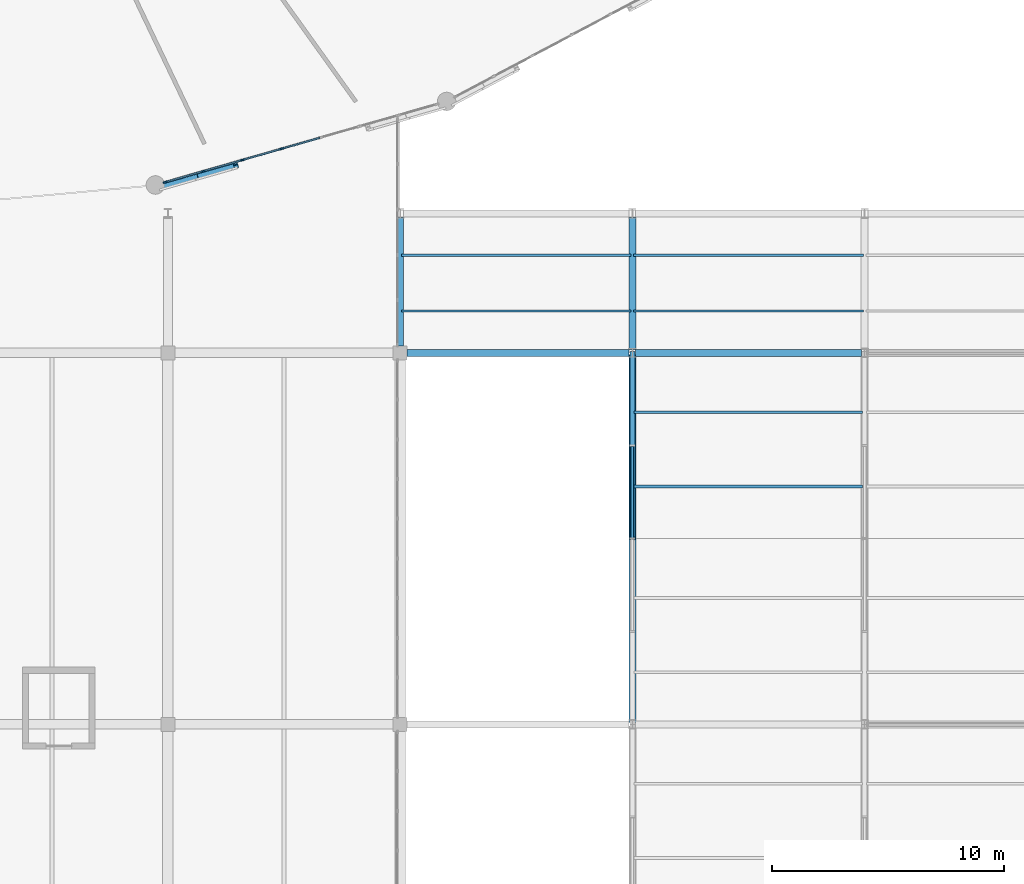
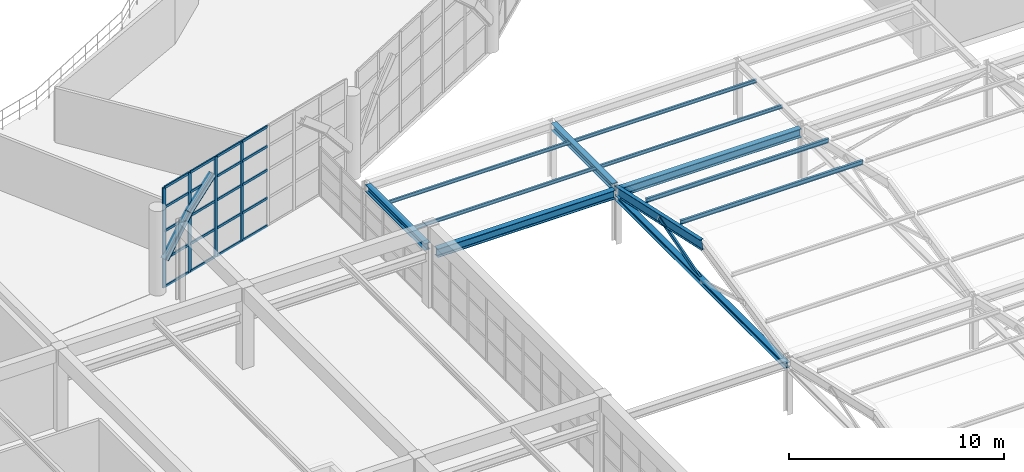
# One storey, part 29 of 109: 32 members, 7 beams, 1 element without a shape of its own.
"""IFC4 building model written with IfcOpenShell, lengths in metres."""

from ifc_helpers import new_model, si_unit, direction, frame, origin, origin_2d, place, context, subcontext, project, spatial, rectangle, hollow_rectangle, i_section, extrude, material, layer, layer_set, material_profile, profile_set, type_object, element, aggregate, save


model = new_model("IFC4")

# Units and contexts
model_context = context("Model", 3, precision=1e-05, world=origin(), true_north=direction((0.0, 1.0)))
body_context = subcontext(model_context, "Body", "Model", "MODEL_VIEW")
ifc_project = project(units=[si_unit("LENGTHUNIT", "METRE"), si_unit("AREAUNIT", "SQUARE_METRE"), si_unit("VOLUMEUNIT", "CUBIC_METRE"), si_unit("PLANEANGLEUNIT", "RADIAN"), si_unit("MASSUNIT", "GRAM", prefix="KILO")], contexts=[model_context])

# Site, building, storey
site_placement = place(None, origin())
site = spatial("IfcSite", under=ifc_project, at=site_placement, CompositionType="ELEMENT")
building_placement = place(site_placement, origin())
building = spatial("IfcBuilding", under=site, at=building_placement, Name="Kivolera Central Railway Station", CompositionType="ELEMENT")
storey_placement = place(building_placement, frame((0.0, 0.0, 9.60009765625)))
storey = spatial("IfcBuildingStorey", under=building, at=storey_placement, Name="L02", CompositionType="ELEMENT", Elevation=9.60009765625)

# Beams
ifc_material_1 = material(Name="Steel S355", Category="steel")
ifc_material_profile_1 = material_profile(ifc_material_1, i_section(OverallWidth=0.300048828125, OverallDepth=0.300048828125, WebThickness=0.010986328125, FlangeThickness=0.01904296875, FilletRadius=0.027099609375, at=origin_2d()), Name="HEB 300")
ifc_profile_set_1 = profile_set([ifc_material_profile_1], Name="Steel S355")
beam_type_1 = type_object("IfcBeamType", Name="BM-LANT-ARCH", PredefinedType="SPANDREL", material=ifc_profile_set_1)
beam_1_placement = place(storey_placement, frame((77.8330078125, 55.208984375, 1.699951171875), z_axis=(0.620093626419, 0.17819346611, 0.764022894363), x_axis=(-0.276187953411, 0.961103643938, 0.0)))
element("IfcBeam", 1, at=beam_1_placement, inside=storey, type_object=beam_type_1, Name="Oval Lantern Structural Arch Rib 20.1", PredefinedType="SPANDREL", context=body_context, shape_type="SweptSolid", body=[
    extrude(i_section(OverallWidth=0.300048828125, OverallDepth=0.300048828125, WebThickness=0.010986328125, FlangeThickness=0.01904296875, FilletRadius=0.027099609375, at=origin_2d()), origin(), (0.0, 0.0, 1.0), 2.48681640625),
])
beam_2_placement = place(storey_placement, frame((79.375, 55.652099609375, 3.599853515625), z_axis=(0.733210155687, 0.21011880649, 0.646724790585), x_axis=(-0.275484921, 0.961305392839, 0.0)))
element("IfcBeam", 2, at=beam_2_placement, inside=storey, type_object=beam_type_1, Name="Oval Lantern Structural Arch Rib 20.2", PredefinedType="SPANDREL", context=body_context, shape_type="SweptSolid", body=[
    extrude(i_section(OverallWidth=0.300048828125, OverallDepth=0.300048828125, WebThickness=0.010986328125, FlangeThickness=0.01904296875, FilletRadius=0.027099609375, at=origin_2d()), origin(), (0.0, 0.0, 1.0), 2.10302734375),
])
ifc_material_profile_2 = material_profile(ifc_material_1, i_section(OverallWidth=0.300048828125, OverallDepth=0.389892578125, WebThickness=0.010986328125, FlangeThickness=0.01904296875, FilletRadius=0.027099609375, at=origin_2d()), Name="HEA 400")
ifc_profile_set_2 = profile_set([ifc_material_profile_2], Name="Steel S355")
beam_type_2 = type_object("IfcBeamType", Name="BM-SHD-HEA400", PredefinedType="BEAM", material=ifc_profile_set_2)
beam_3_placement = place(storey_placement, frame((88.0, 48.294921875, 3.054931640625), z_axis=(0.0, 1.0, 0.0), x_axis=(-1.0, 0.0, 0.0)))
element("IfcBeam", 3, at=beam_3_placement, inside=storey, type_object=beam_type_2, Name="Train Shed Threshold Canopy Rafter DE-9", PredefinedType="BEAM", context=body_context, shape_type="SweptSolid", body=[
    extrude(i_section(OverallWidth=0.300048828125, OverallDepth=0.389892578125, WebThickness=0.010986328125, FlangeThickness=0.01904296875, FilletRadius=0.027099609375, at=origin_2d()), origin(), (0.0, 0.0, 1.0), 5.56298828125),
])
beam_4_placement = place(storey_placement, frame((98.0, 48.14208984375, 3.054931640625), z_axis=(0.0, 1.0, 0.0), x_axis=(-1.0, 0.0, 0.0)))
element("IfcBeam", 4, at=beam_4_placement, inside=storey, type_object=beam_type_2, Name="Train Shed Threshold Canopy Rafter DE-10", PredefinedType="BEAM", context=body_context, shape_type="SweptSolid", body=[
    extrude(i_section(OverallWidth=0.300048828125, OverallDepth=0.389892578125, WebThickness=0.010986328125, FlangeThickness=0.01904296875, FilletRadius=0.027099609375, at=origin_2d()), origin(), (0.0, 0.0, 1.0), 5.7158203125),
])
ifc_material_profile_3 = material_profile(ifc_material_1, i_section(OverallWidth=0.300048828125, OverallDepth=0.489990234375, WebThickness=0.011962890625, FlangeThickness=0.02294921875, FilletRadius=0.027099609375, at=origin_2d()), Name="HEA 500")
ifc_profile_set_3 = profile_set([ifc_material_profile_3], Name="Steel S355")
beam_type_3 = type_object("IfcBeamType", Name="BM-SHD-HEA500", PredefinedType="BEAM", material=ifc_profile_set_3)
beam_5_placement = place(storey_placement, frame((88.2919921875, 48.0, 2.81982421875), z_axis=(1.0, 0.0, 0.0), x_axis=(0.0, 1.0, 0.0)))
element("IfcBeam", 5, at=beam_5_placement, inside=storey, type_object=beam_type_3, Name="Train Shed Eave Girder D:9-10", PredefinedType="BEAM", context=body_context, shape_type="SweptSolid", body=[
    extrude(i_section(OverallWidth=0.300048828125, OverallDepth=0.489990234375, WebThickness=0.011962890625, FlangeThickness=0.02294921875, FilletRadius=0.027099609375, at=origin_2d()), origin(), (0.0, 0.0, 1.0), 9.571044921875),
])
beam_6_placement = place(storey_placement, frame((98.136962890625, 48.0, 2.81982421875), z_axis=(1.0, 0.0, 0.0), x_axis=(0.0, 1.0, 0.0)))
element("IfcBeam", 6, at=beam_6_placement, inside=storey, type_object=beam_type_3, Name="Train Shed Eave Girder D:10-11", PredefinedType="BEAM", context=body_context, shape_type="SweptSolid", body=[
    extrude(i_section(OverallWidth=0.300048828125, OverallDepth=0.489990234375, WebThickness=0.011962890625, FlangeThickness=0.02294921875, FilletRadius=0.027099609375, at=origin_2d()), origin(), (0.0, 0.0, 1.0), 9.72607421875),
])
ifc_material_profile_4 = material_profile(ifc_material_1, i_section(OverallWidth=0.209228515625, OverallDepth=0.533203125, WebThickness=0.010009765625, FlangeThickness=0.015625, FilletRadius=0.0126953125, at=origin_2d()), Name="UB 533x210x92")
ifc_profile_set_4 = profile_set([ifc_material_profile_4], Name="Steel S355")
beam_type_4 = type_object("IfcBeamType", Name="BM-SHD-UB533", PredefinedType="BEAM", material=ifc_profile_set_4)
beam_7_placement = place(storey_placement, frame((98.0, 40.0, 4.684814453125), z_axis=(0.0, 0.97664421653, -0.214862919829), x_axis=(-1.0, 0.0, 0.0)))
element("IfcBeam", 7, at=beam_7_placement, inside=storey, type_object=beam_type_4, Name="Train Shed Roof Truss Top Rafter CD-10N", PredefinedType="BEAM", context=body_context, shape_type="SweptSolid", body=[
    extrude(i_section(OverallWidth=0.209228515625, OverallDepth=0.533203125, WebThickness=0.010009765625, FlangeThickness=0.015625, FilletRadius=0.0126953125, at=origin_2d()), origin(), (0.0, 0.0, 1.0), 8.19140625),
])

# Curtain wall, members
ifc_material_2 = material(Name="Anodised aluminium", Category="aluminium")
ifc_layer = layer(ifc_material_2, 0.179931640625, Name="Anodised aluminium")
ifc_layer_set = layer_set([ifc_layer], Name="Anodised aluminium")
curtain_wall_type = type_object("IfcCurtainWallType", Name="CW-SYS-11", PredefinedType="NOTDEFINED", material=ifc_layer_set)
curtain_wall_placement = place(storey_placement, origin())
curtain_wall = element("IfcCurtainWall", 8, at=curtain_wall_placement, inside=storey, type_object=curtain_wall_type, Name="L02 Curtain Wall CW-L02-OVL-19", PredefinedType="NOTDEFINED")
ifc_material_profile_5 = material_profile(ifc_material_2, rectangle(XDim=0.070068359375, YDim=0.179931640625, at=origin_2d()), Name="ALU MULL 70x180")
ifc_profile_set_5 = profile_set([ifc_material_profile_5], Name="Anodised aluminium")
member_type_1 = type_object("IfcMemberType", Name="CWM-MUL-1", PredefinedType="MULLION", material=ifc_profile_set_5)
member_1_placement = place(storey_placement, frame((82.888671875, 56.783935546875, -0.005126953125), z_axis=(0.0, 0.0, 1.0), x_axis=(0.27569168989, -0.961246114232, 0.0)))
member_1 = element("IfcMember", 9, at=member_1_placement, type_object=member_type_1, Name="CW-11 mullion 5", PredefinedType="MULLION", context=body_context, shape_type="SweptSolid", body=[
    extrude(rectangle(XDim=0.070068359375, YDim=0.179931640625, at=origin_2d()), origin(), (0.0, 0.0, 1.0), 5.705078125),
])
member_2_placement = place(storey_placement, frame((81.20703125, 56.301513671875, -0.005126953125), z_axis=(0.0, 0.0, 1.0), x_axis=(0.27569168989, -0.961246114232, 0.0)))
member_2 = element("IfcMember", 10, at=member_2_placement, type_object=member_type_1, Name="CW-11 mullion 6", PredefinedType="MULLION", context=body_context, shape_type="SweptSolid", body=[
    extrude(rectangle(XDim=0.070068359375, YDim=0.179931640625, at=origin_2d()), origin(), (0.0, 0.0, 1.0), 5.705078125),
])
member_3_placement = place(storey_placement, frame((79.525634765625, 55.8193359375, -0.005126953125), z_axis=(0.0, 0.0, 1.0), x_axis=(0.27569168989, -0.961246114232, 0.0)))
member_3 = element("IfcMember", 11, at=member_3_placement, type_object=member_type_1, Name="CW-11 mullion 7", PredefinedType="MULLION", context=body_context, shape_type="SweptSolid", body=[
    extrude(rectangle(XDim=0.070068359375, YDim=0.179931640625, at=origin_2d()), origin(), (0.0, 0.0, 1.0), 5.705078125),
])
member_4_placement = place(storey_placement, frame((77.877685546875, 55.3466796875, -0.005126953125), z_axis=(0.0, 0.0, 1.0), x_axis=(0.27569168989, -0.961246114232, 0.0)))
member_4 = element("IfcMember", 12, at=member_4_placement, type_object=member_type_1, Name="CW-11 mullion 8", PredefinedType="MULLION", context=body_context, shape_type="SweptSolid", body=[
    extrude(rectangle(XDim=0.070068359375, YDim=0.179931640625, at=origin_2d()), origin(), (0.0, 0.0, 1.0), 5.705078125),
])
ifc_material_profile_6 = material_profile(ifc_material_2, rectangle(XDim=0.070068359375, YDim=0.139892578125, at=origin_2d()), Name="ALU TRAN 70x140")
ifc_profile_set_6 = profile_set([ifc_material_profile_6], Name="Anodised aluminium")
member_type_2 = type_object("IfcMemberType", Name="CWM-TRN-1", PredefinedType="USERDEFINED", material=ifc_profile_set_6)
member_5_placement = place(storey_placement, frame((84.53662109375, 57.256591796875, 0.034912109375), z_axis=(-0.961221645359, -0.275776990509, 0.0), x_axis=(0.275776990509, -0.961221645359, 0.0)))
member_5 = element("IfcMember", 13, at=member_5_placement, type_object=member_type_2, Name="CW-11 transom 4.1", ObjectType="TRANSOM", PredefinedType="USERDEFINED", context=body_context, shape_type="SweptSolid", body=[
    extrude(rectangle(XDim=0.070068359375, YDim=0.139892578125, at=origin_2d()), origin(), (0.0, 0.0, 1.0), 1.679443359375),
])
member_6_placement = place(storey_placement, frame((84.53662109375, 57.256591796875, 1.599853515625), z_axis=(-0.961221645359, -0.275776990509, 0.0), x_axis=(0.275776990509, -0.961221645359, 0.0)))
member_6 = element("IfcMember", 14, at=member_6_placement, type_object=member_type_2, Name="CW-11 transom 4.2", ObjectType="TRANSOM", PredefinedType="USERDEFINED", context=body_context, shape_type="SweptSolid", body=[
    extrude(rectangle(XDim=0.070068359375, YDim=0.139892578125, at=origin_2d()), origin(), (0.0, 0.0, 1.0), 1.679443359375),
])
member_7_placement = place(storey_placement, frame((84.53662109375, 57.256591796875, 3.199951171875), z_axis=(-0.961221645359, -0.275776990509, 0.0), x_axis=(0.275776990509, -0.961221645359, 0.0)))
member_7 = element("IfcMember", 15, at=member_7_placement, type_object=member_type_2, Name="CW-11 transom 4.3", ObjectType="TRANSOM", PredefinedType="USERDEFINED", context=body_context, shape_type="SweptSolid", body=[
    extrude(rectangle(XDim=0.070068359375, YDim=0.139892578125, at=origin_2d()), origin(), (0.0, 0.0, 1.0), 1.679443359375),
])
member_8_placement = place(storey_placement, frame((84.53662109375, 57.256591796875, 4.5498046875), z_axis=(-0.961221645359, -0.275776990509, 0.0), x_axis=(0.275776990509, -0.961221645359, 0.0)))
member_8 = element("IfcMember", 16, at=member_8_placement, type_object=member_type_2, Name="CW-11 transom 4.4", ObjectType="TRANSOM", PredefinedType="USERDEFINED", context=body_context, shape_type="SweptSolid", body=[
    extrude(rectangle(XDim=0.070068359375, YDim=0.139892578125, at=origin_2d()), origin(), (0.0, 0.0, 1.0), 1.679443359375),
])
member_9_placement = place(storey_placement, frame((84.53662109375, 57.256591796875, 5.664794921875), z_axis=(-0.961221645359, -0.275776990509, 0.0), x_axis=(0.275776990509, -0.961221645359, 0.0)))
member_9 = element("IfcMember", 17, at=member_9_placement, type_object=member_type_2, Name="CW-11 transom 4.5", ObjectType="TRANSOM", PredefinedType="USERDEFINED", context=body_context, shape_type="SweptSolid", body=[
    extrude(rectangle(XDim=0.070068359375, YDim=0.139892578125, at=origin_2d()), origin(), (0.0, 0.0, 1.0), 1.679443359375),
])
member_10_placement = place(storey_placement, frame((82.85498046875, 56.774169921875, 0.034912109375), z_axis=(-0.961260174018, -0.27564266333, 0.0), x_axis=(0.27564266333, -0.961260174018, 0.0)))
member_10 = element("IfcMember", 18, at=member_10_placement, type_object=member_type_2, Name="CW-11 transom 5.1", ObjectType="TRANSOM", PredefinedType="USERDEFINED", context=body_context, shape_type="SweptSolid", body=[
    extrude(rectangle(XDim=0.070068359375, YDim=0.139892578125, at=origin_2d()), origin(), (0.0, 0.0, 1.0), 1.67919921875),
])
member_11_placement = place(storey_placement, frame((82.85498046875, 56.774169921875, 1.599853515625), z_axis=(-0.961260174018, -0.27564266333, 0.0), x_axis=(0.27564266333, -0.961260174018, 0.0)))
member_11 = element("IfcMember", 19, at=member_11_placement, type_object=member_type_2, Name="CW-11 transom 5.2", ObjectType="TRANSOM", PredefinedType="USERDEFINED", context=body_context, shape_type="SweptSolid", body=[
    extrude(rectangle(XDim=0.070068359375, YDim=0.139892578125, at=origin_2d()), origin(), (0.0, 0.0, 1.0), 1.67919921875),
])
member_12_placement = place(storey_placement, frame((82.85498046875, 56.774169921875, 3.199951171875), z_axis=(-0.961260174018, -0.27564266333, 0.0), x_axis=(0.27564266333, -0.961260174018, 0.0)))
member_12 = element("IfcMember", 20, at=member_12_placement, type_object=member_type_2, Name="CW-11 transom 5.3", ObjectType="TRANSOM", PredefinedType="USERDEFINED", context=body_context, shape_type="SweptSolid", body=[
    extrude(rectangle(XDim=0.070068359375, YDim=0.139892578125, at=origin_2d()), origin(), (0.0, 0.0, 1.0), 1.67919921875),
])
member_13_placement = place(storey_placement, frame((82.85498046875, 56.774169921875, 4.5498046875), z_axis=(-0.961260174018, -0.27564266333, 0.0), x_axis=(0.27564266333, -0.961260174018, 0.0)))
member_13 = element("IfcMember", 21, at=member_13_placement, type_object=member_type_2, Name="CW-11 transom 5.4", ObjectType="TRANSOM", PredefinedType="USERDEFINED", context=body_context, shape_type="SweptSolid", body=[
    extrude(rectangle(XDim=0.070068359375, YDim=0.139892578125, at=origin_2d()), origin(), (0.0, 0.0, 1.0), 1.67919921875),
])
member_14_placement = place(storey_placement, frame((82.85498046875, 56.774169921875, 5.664794921875), z_axis=(-0.961260174018, -0.27564266333, 0.0), x_axis=(0.27564266333, -0.961260174018, 0.0)))
member_14 = element("IfcMember", 22, at=member_14_placement, type_object=member_type_2, Name="CW-11 transom 5.5", ObjectType="TRANSOM", PredefinedType="USERDEFINED", context=body_context, shape_type="SweptSolid", body=[
    extrude(rectangle(XDim=0.070068359375, YDim=0.139892578125, at=origin_2d()), origin(), (0.0, 0.0, 1.0), 1.67919921875),
])
member_15_placement = place(storey_placement, frame((81.173583984375, 56.2919921875, 0.034912109375), z_axis=(-0.961221645359, -0.275776990509, 0.0), x_axis=(0.275776990509, -0.961221645359, 0.0)))
member_15 = element("IfcMember", 23, at=member_15_placement, type_object=member_type_2, Name="CW-11 transom 6.1", ObjectType="TRANSOM", PredefinedType="USERDEFINED", context=body_context, shape_type="SweptSolid", body=[
    extrude(rectangle(XDim=0.070068359375, YDim=0.139892578125, at=origin_2d()), origin(), (0.0, 0.0, 1.0), 1.679443359375),
])
member_16_placement = place(storey_placement, frame((81.173583984375, 56.2919921875, 1.599853515625), z_axis=(-0.961221645359, -0.275776990509, 0.0), x_axis=(0.275776990509, -0.961221645359, 0.0)))
member_16 = element("IfcMember", 24, at=member_16_placement, type_object=member_type_2, Name="CW-11 transom 6.2", ObjectType="TRANSOM", PredefinedType="USERDEFINED", context=body_context, shape_type="SweptSolid", body=[
    extrude(rectangle(XDim=0.070068359375, YDim=0.139892578125, at=origin_2d()), origin(), (0.0, 0.0, 1.0), 1.679443359375),
])
member_17_placement = place(storey_placement, frame((81.173583984375, 56.2919921875, 3.199951171875), z_axis=(-0.961221645359, -0.275776990509, 0.0), x_axis=(0.275776990509, -0.961221645359, 0.0)))
member_17 = element("IfcMember", 25, at=member_17_placement, type_object=member_type_2, Name="CW-11 transom 6.3", ObjectType="TRANSOM", PredefinedType="USERDEFINED", context=body_context, shape_type="SweptSolid", body=[
    extrude(rectangle(XDim=0.070068359375, YDim=0.139892578125, at=origin_2d()), origin(), (0.0, 0.0, 1.0), 1.679443359375),
])
member_18_placement = place(storey_placement, frame((81.173583984375, 56.2919921875, 4.5498046875), z_axis=(-0.961221645359, -0.275776990509, 0.0), x_axis=(0.275776990509, -0.961221645359, 0.0)))
member_18 = element("IfcMember", 26, at=member_18_placement, type_object=member_type_2, Name="CW-11 transom 6.4", ObjectType="TRANSOM", PredefinedType="USERDEFINED", context=body_context, shape_type="SweptSolid", body=[
    extrude(rectangle(XDim=0.070068359375, YDim=0.139892578125, at=origin_2d()), origin(), (0.0, 0.0, 1.0), 1.679443359375),
])
member_19_placement = place(storey_placement, frame((81.173583984375, 56.2919921875, 5.664794921875), z_axis=(-0.961221645359, -0.275776990509, 0.0), x_axis=(0.275776990509, -0.961221645359, 0.0)))
member_19 = element("IfcMember", 27, at=member_19_placement, type_object=member_type_2, Name="CW-11 transom 6.5", ObjectType="TRANSOM", PredefinedType="USERDEFINED", context=body_context, shape_type="SweptSolid", body=[
    extrude(rectangle(XDim=0.070068359375, YDim=0.139892578125, at=origin_2d()), origin(), (0.0, 0.0, 1.0), 1.679443359375),
])
member_20_placement = place(storey_placement, frame((79.491943359375, 55.8095703125, 0.034912109375), z_axis=(-0.961237680042, -0.275721095434, 0.0), x_axis=(0.275721095434, -0.961237680042, 0.0)))
member_20 = element("IfcMember", 28, at=member_20_placement, type_object=member_type_2, Name="CW-11 transom 7.1", ObjectType="TRANSOM", PredefinedType="USERDEFINED", context=body_context, shape_type="SweptSolid", body=[
    extrude(rectangle(XDim=0.070068359375, YDim=0.139892578125, at=origin_2d()), origin(), (0.0, 0.0, 1.0), 1.644287109375),
])
member_21_placement = place(storey_placement, frame((79.491943359375, 55.8095703125, 1.599853515625), z_axis=(-0.961237680042, -0.275721095434, 0.0), x_axis=(0.275721095434, -0.961237680042, 0.0)))
member_21 = element("IfcMember", 29, at=member_21_placement, type_object=member_type_2, Name="CW-11 transom 7.2", ObjectType="TRANSOM", PredefinedType="USERDEFINED", context=body_context, shape_type="SweptSolid", body=[
    extrude(rectangle(XDim=0.070068359375, YDim=0.139892578125, at=origin_2d()), origin(), (0.0, 0.0, 1.0), 1.644287109375),
])
member_22_placement = place(storey_placement, frame((79.491943359375, 55.8095703125, 3.199951171875), z_axis=(-0.961237680042, -0.275721095434, 0.0), x_axis=(0.275721095434, -0.961237680042, 0.0)))
member_22 = element("IfcMember", 30, at=member_22_placement, type_object=member_type_2, Name="CW-11 transom 7.3", ObjectType="TRANSOM", PredefinedType="USERDEFINED", context=body_context, shape_type="SweptSolid", body=[
    extrude(rectangle(XDim=0.070068359375, YDim=0.139892578125, at=origin_2d()), origin(), (0.0, 0.0, 1.0), 1.644287109375),
])
member_23_placement = place(storey_placement, frame((79.491943359375, 55.8095703125, 4.5498046875), z_axis=(-0.961237680042, -0.275721095434, 0.0), x_axis=(0.275721095434, -0.961237680042, 0.0)))
member_23 = element("IfcMember", 31, at=member_23_placement, type_object=member_type_2, Name="CW-11 transom 7.4", ObjectType="TRANSOM", PredefinedType="USERDEFINED", context=body_context, shape_type="SweptSolid", body=[
    extrude(rectangle(XDim=0.070068359375, YDim=0.139892578125, at=origin_2d()), origin(), (0.0, 0.0, 1.0), 1.644287109375),
])
member_24_placement = place(storey_placement, frame((79.491943359375, 55.8095703125, 5.664794921875), z_axis=(-0.961237680042, -0.275721095434, 0.0), x_axis=(0.275721095434, -0.961237680042, 0.0)))
member_24 = element("IfcMember", 32, at=member_24_placement, type_object=member_type_2, Name="CW-11 transom 7.5", ObjectType="TRANSOM", PredefinedType="USERDEFINED", context=body_context, shape_type="SweptSolid", body=[
    extrude(rectangle(XDim=0.070068359375, YDim=0.139892578125, at=origin_2d()), origin(), (0.0, 0.0, 1.0), 1.644287109375),
])
aggregate(curtain_wall, [member_1, member_2, member_3, member_4, member_5, member_6, member_7, member_8, member_9, member_10, member_11, member_12, member_13, member_14, member_15, member_16, member_17, member_18, member_19, member_20, member_21, member_22, member_23, member_24])

# Members
ifc_material_profile_7 = material_profile(ifc_material_1, i_section(OverallWidth=0.300048828125, OverallDepth=0.300048828125, WebThickness=0.010986328125, FlangeThickness=0.01904296875, FilletRadius=0.027099609375, at=origin_2d()), Name="HEB 300")
ifc_profile_set_7 = profile_set([ifc_material_profile_7], Name="Steel S355")
member_type_3 = type_object("IfcMemberType", Name="MEM-CHD-HEB300", PredefinedType="CHORD", material=ifc_profile_set_7)
member_25_placement = place(storey_placement, frame((98.0, 32.080078125, 2.619873046875), z_axis=(0.0, 1.0, 0.0), x_axis=(-1.0, 0.0, 0.0)))
element("IfcMember", 33, at=member_25_placement, inside=storey, type_object=member_type_3, Name="Train Shed Roof Truss Bottom Tie Chord CD-10", PredefinedType="CHORD", context=body_context, shape_type="SweptSolid", body=[
    extrude(i_section(OverallWidth=0.300048828125, OverallDepth=0.300048828125, WebThickness=0.010986328125, FlangeThickness=0.01904296875, FilletRadius=0.027099609375, at=origin_2d()), origin(), (0.0, 0.0, 1.0), 15.83984375),
])
ifc_material_profile_8 = material_profile(ifc_material_1, i_section(OverallWidth=0.10009765625, OverallDepth=0.199951171875, WebThickness=0.005615234375, FlangeThickness=0.008544921875, FilletRadius=0.011962890625, at=origin_2d()), Name="IPE 200")
ifc_profile_set_8 = profile_set([ifc_material_profile_8], Name="Steel S355")
member_type_4 = type_object("IfcMemberType", Name="MEM-PUR-IPE200", PredefinedType="PURLIN", material=ifc_profile_set_8)
for number, where, z_axis, x_axis, name in (
    (34, (88.050048828125, 49.800048828125, 3.14794921875), (1.0, 0.0, 0.0), (0.0, 1.0, 0.0), "Train Shed Threshold Purlin DE-09-1"),
    (35, (88.050048828125, 52.199951171875, 3.14794921875), (1.0, 0.0, 0.0), (0.0, 1.0, 0.0), "Train Shed Threshold Purlin DE-09-2"),
    (36, (98.050048828125, 49.800048828125, 3.14794921875), (1.0, 0.0, 0.0), (0.0, 1.0, 0.0), "Train Shed Threshold Purlin DE-10-1"),
    (37, (98.050048828125, 52.199951171875, 3.14794921875), (1.0, 0.0, 0.0), (0.0, 1.0, 0.0), "Train Shed Threshold Purlin DE-10-2"),
):
    element("IfcMember", number, at=place(storey_placement, frame(where, z_axis=z_axis, x_axis=x_axis)), inside=storey, type_object=member_type_4, Name=name, PredefinedType="PURLIN", context=body_context, shape_type="SweptSolid", body=[
        extrude(i_section(OverallWidth=0.10009765625, OverallDepth=0.199951171875, WebThickness=0.005615234375, FlangeThickness=0.008544921875, FilletRadius=0.011962890625, at=origin_2d()), origin(), (0.0, 0.0, 1.0), 9.89990234375),
    ])
ifc_material_profile_9 = material_profile(ifc_material_1, i_section(OverallWidth=0.1201171875, OverallDepth=0.239990234375, WebThickness=0.006103515625, FlangeThickness=0.009765625, FilletRadius=0.014892578125, at=origin_2d()), Name="IPE 240")
ifc_profile_set_9 = profile_set([ifc_material_profile_9], Name="Steel S355")
member_type_5 = type_object("IfcMemberType", Name="MEM-PUR-IPE240", PredefinedType="PURLIN", material=ifc_profile_set_9)
for number, where, z_axis, x_axis, name in (
    (38, (98.080078125, 42.239990234375, 4.572021484375), (1.0, 0.0, 0.0), (0.0, 1.0, 0.0), "Train Shed Roof Purlin CD-10-N1"),
    (39, (98.080078125, 45.43994140625, 3.867919921875), (1.0, 0.0, 0.0), (0.0, 1.0, 0.0), "Train Shed Roof Purlin CD-10-N2"),
):
    element("IfcMember", number, at=place(storey_placement, frame(where, z_axis=z_axis, x_axis=x_axis)), inside=storey, type_object=member_type_5, Name=name, PredefinedType="PURLIN", context=body_context, shape_type="SweptSolid", body=[
        extrude(i_section(OverallWidth=0.1201171875, OverallDepth=0.239990234375, WebThickness=0.006103515625, FlangeThickness=0.009765625, FilletRadius=0.014892578125, at=origin_2d()), origin(), (0.0, 0.0, 1.0), 9.83984375),
    ])
ifc_material_profile_10 = material_profile(ifc_material_1, hollow_rectangle(XDim=0.10009765625, YDim=0.199951171875, WallThickness=0.010009765625, at=origin_2d()), Name="RHS 200x100x10")
ifc_profile_set_10 = profile_set([ifc_material_profile_10], Name="Steel S355")
member_type_6 = type_object("IfcMemberType", Name="MEM-STR-RHS200", PredefinedType="STRUT", material=ifc_profile_set_10)
member_26_placement = place(storey_placement, frame((98.0, 40.0, 2.619873046875), z_axis=(0.0, 0.958806377549, 0.284060434364), x_axis=(-1.0, 0.0, 0.0)))
element("IfcMember", 40, at=member_26_placement, inside=storey, type_object=member_type_6, Name="Train Shed Truss Web Strut CD-10-2", PredefinedType="STRUT", context=body_context, shape_type="SweptSolid", body=[
    extrude(hollow_rectangle(XDim=0.10009765625, YDim=0.199951171875, WallThickness=0.010009765625, at=origin_2d()), origin(), (0.0, 0.0, 1.0), 4.171875),
])

save(model, "model.ifc")
